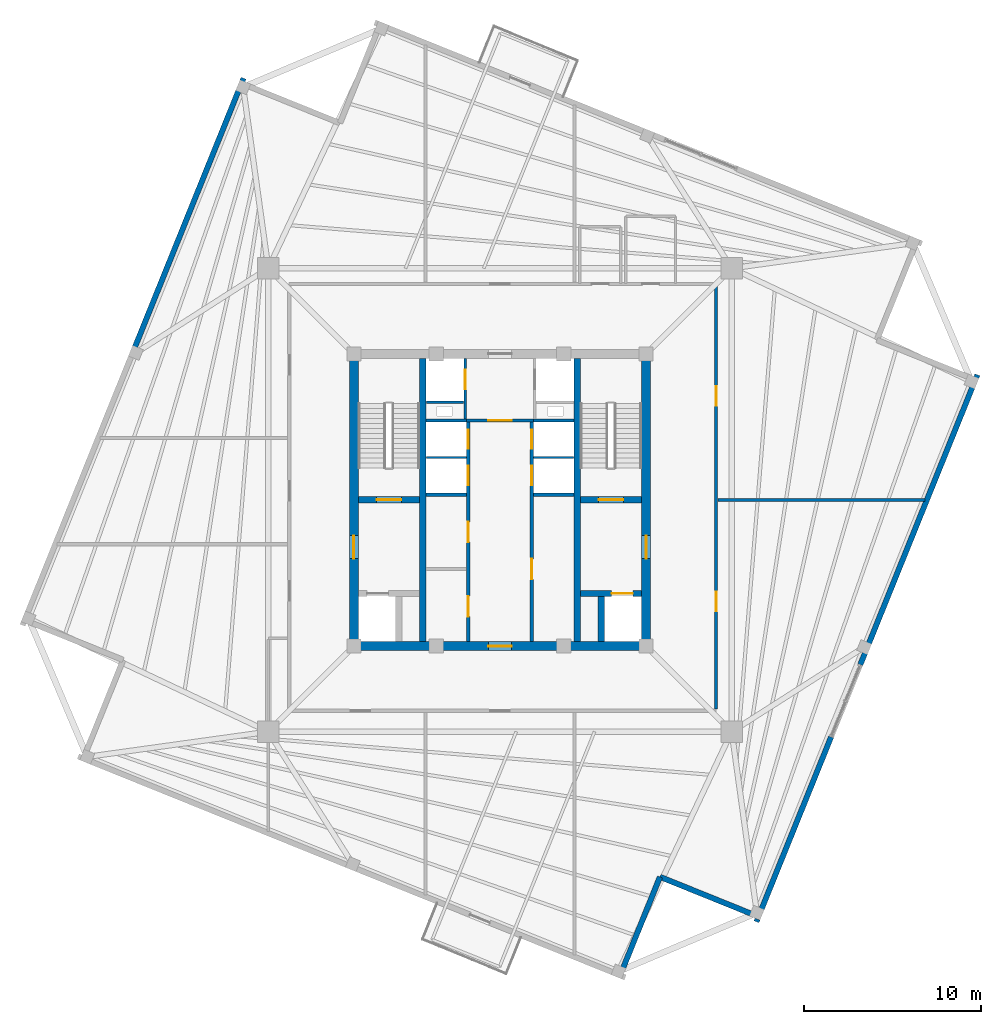
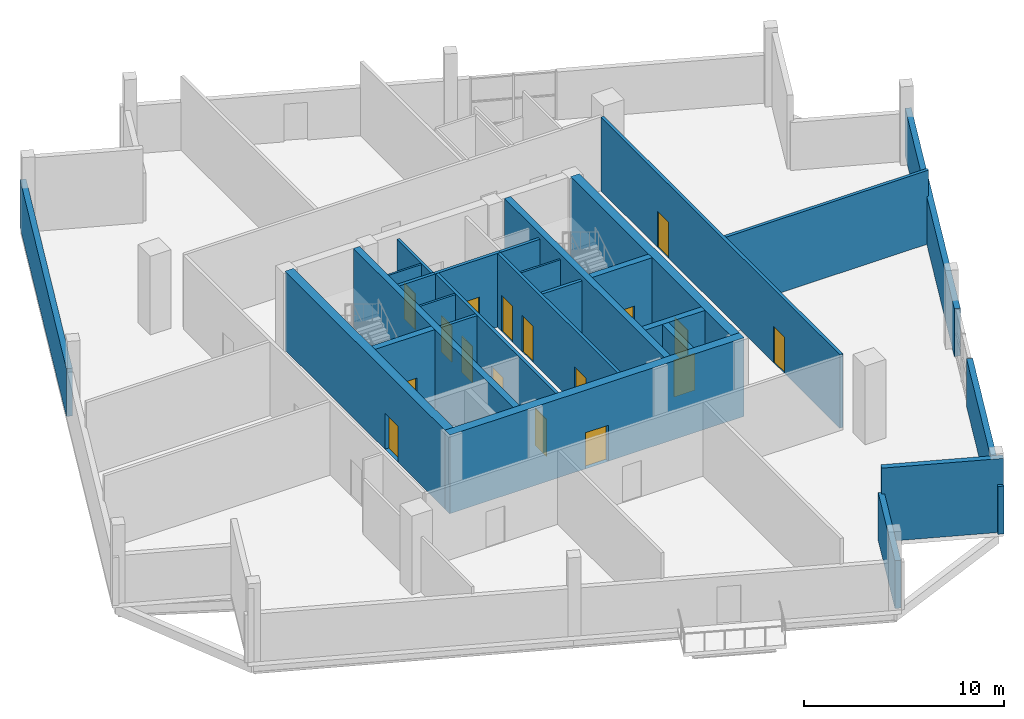
# One storey, part 6 of 9: 27 walls, 17 doors, 17 openings.
"""IFC4 building model written with IfcOpenShell, lengths in metres."""

from ifc_helpers import new_model, si_unit, direction, frame, frame_2d, origin, place, context, subcontext, project, spatial, rectangle, extrude, source, transform, mapped, material, layer, layer_set, type_object, element, fill, save


model = new_model("IFC4")

# Units and contexts
model_context = context("Model", 3, precision=1e-05, world=origin(), true_north=direction((0.0, 1.0)))
body_context = subcontext(model_context, "Body", "Model", "MODEL_VIEW")
ifc_project = project(units=[si_unit("LENGTHUNIT", "METRE"), si_unit("AREAUNIT", "SQUARE_METRE"), si_unit("VOLUMEUNIT", "CUBIC_METRE"), si_unit("PLANEANGLEUNIT", "RADIAN"), si_unit("MASSUNIT", "GRAM", prefix="KILO"), si_unit("THERMODYNAMICTEMPERATUREUNIT", "KELVIN")], contexts=[model_context])

# Site, building, storey
site_placement = place(None, origin())
site = spatial("IfcSite", under=ifc_project, at=site_placement, CompositionType="ELEMENT")
building_placement = place(site_placement, origin())
building = spatial("IfcBuilding", under=site, at=building_placement, Name="Kosmvard Interchange Tower", CompositionType="ELEMENT")
storey_placement = place(building_placement, frame((0.0, 0.0, 316.800048828125)))
storey = spatial("IfcBuildingStorey", under=building, at=storey_placement, Name="L78", CompositionType="ELEMENT", Elevation=316.800048828125)

# Wall, opening, door
ifc_material_1 = material(Name="Fire-rated gypsum partition system")
ifc_layer_1 = layer(ifc_material_1, 0.159912109375, Name="Fire-rated gypsum partition system")
ifc_layer_set_1 = layer_set([ifc_layer_1], Name="Fire-rated gypsum partition system")
wall_type_1 = type_object("IfcWallType", Name="Core Compartment & Shuttle Lobby Partition 160", PredefinedType="PARTITIONING", material=ifc_layer_set_1)
wall_1_placement = place(storey_placement, frame((-1.9599609375, 4.580078125, 0.0), z_axis=(0.0, 0.0, 1.0), x_axis=(0.0, 1.0, 0.0)))
wall_1 = element("IfcWall", 1, at=wall_1_placement, inside=storey, type_object=wall_type_1, Name="L78 North Core West Wall", PredefinedType="PARTITIONING", context=body_context, shape_type="SweptSolid", body=[
    extrude(rectangle(XDim=3.39990234375, YDim=0.159912109375, at=frame_2d((1.699951171875, 0.0))), origin(), (0.0, 0.0, 1.0), 4.5),
])
opening_1_placement = place(wall_1_placement, frame((1.669921875, 0.0, 0.0)))
opening_1 = element("IfcOpeningElement", 2, at=opening_1_placement, cuts=wall_1, Name="Opening LD-OBS1-L78", PredefinedType="OPENING", context=body_context, shape_type="SweptSolid", body=[
    extrude(rectangle(XDim=1.10009765625, YDim=2.199951171875, at=frame_2d((0.550048828125, 1.10009765625))), frame((0.0, 0.08984375, 0.0), z_axis=(0.0, -1.0, 0.0), x_axis=(1.0, 0.0, 0.0)), (0.0, 0.0, 1.0), 0.179931640625),
])
ifc_material_2 = material(Name="Brushed stainless steel sliding leaf", Category="steel")
door_type_1 = type_object("IfcDoorType", Name="Passenger Lift Sliding Landing Door 1100x2200 EI60", OperationType="DOUBLE_DOOR_SLIDING", PredefinedType="DOOR", material=ifc_material_2)
shared_shape_1 = source(origin(), body_context, "Body", "SweptSolid", [
    extrude(rectangle(XDim=1.10009765625, YDim=2.199951171875, at=frame_2d((0.550048828125, 1.10009765625))), frame((0.0, 0.02490234375, 0.0), z_axis=(0.0, -1.0, 0.0), x_axis=(1.0, 0.0, 0.0)), (0.0, 0.0, 1.0), 0.050048828125),
])
door_1_placement = place(opening_1_placement, frame((1.10009765625, 0.0, 0.0), z_axis=(0.0, 0.0, 1.0), x_axis=(-1.0, 0.0, 0.0)))
door_1 = element("IfcDoor", 3, at=door_1_placement, inside=storey, type_object=door_type_1, Name="Lift OBS-1 Landing Door L78", OperationType="DOUBLE_DOOR_SLIDING", OverallHeight=2.199951171875, OverallWidth=1.10009765625, PredefinedType="DOOR", context=body_context, shape_type="MappedRepresentation", body=[
    mapped(shared_shape_1, transform((0.0, 0.0, 0.0), scale=1.0)),
])
fill(opening_1, door_1)

# Wall, openings, doors
ifc_layer_2 = layer(ifc_material_1, 0.179931640625, Name="Fire-rated gypsum partition system")
ifc_layer_set_2 = layer_set([ifc_layer_2], Name="Fire-rated gypsum partition system")
wall_type_2 = type_object("IfcWallType", Name="Corridor & Hotel Compartment Partition 180", PredefinedType="PARTITIONING", material=ifc_layer_set_2)
wall_2_placement = place(storey_placement, frame((-1.7900390625, -7.97998046875, 0.0), z_axis=(0.0, 0.0, 1.0), x_axis=(0.0, 1.0, 0.0)))
wall_2 = element("IfcWall", 4, at=wall_2_placement, inside=storey, type_object=wall_type_2, Name="L78 West Lift Bank Front Wall", PredefinedType="PARTITIONING", context=body_context, shape_type="SweptSolid", body=[
    extrude(rectangle(XDim=12.3798828125, YDim=0.179931640625, at=frame_2d((6.18994140625, 0.0))), origin(), (0.0, 0.0, 1.0), 4.5),
])
opening_2_placement = place(wall_2_placement, frame((8.800048828125, 0.0, 0.0)))
opening_2 = element("IfcOpeningElement", 5, at=opening_2_placement, cuts=wall_2, Name="Opening LD-PL-H1-L78", PredefinedType="OPENING", context=body_context, shape_type="SweptSolid", body=[
    extrude(rectangle(XDim=1.10009765625, YDim=2.199951171875, at=frame_2d((0.550048828125, 1.10009765625))), frame((0.0, 0.10009765625, 0.0), z_axis=(0.0, -1.0, 0.0), x_axis=(1.0, 0.0, 0.0)), (0.0, 0.0, 1.0), 0.199951171875),
])
opening_3_placement = place(wall_2_placement, frame((10.860107421875, 0.0, 0.0)))
opening_3 = element("IfcOpeningElement", 6, at=opening_3_placement, cuts=wall_2, Name="Opening LD-PL-H2-L78", PredefinedType="OPENING", context=body_context, shape_type="SweptSolid", body=[
    extrude(rectangle(XDim=1.10009765625, YDim=2.199951171875, at=frame_2d((0.550048828125, 1.10009765625))), frame((0.0, 0.10009765625, 0.0), z_axis=(0.0, -1.0, 0.0), x_axis=(1.0, 0.0, 0.0)), (0.0, 0.0, 1.0), 0.199951171875),
])
opening_4_placement = place(wall_2_placement, frame((1.39990234375, 0.0, 0.0)))
opening_4 = element("IfcOpeningElement", 7, at=opening_4_placement, cuts=wall_2, Name="Opening L78-CD1", PredefinedType="OPENING", context=body_context, shape_type="SweptSolid", body=[
    extrude(rectangle(XDim=1.14990234375, YDim=2.25, at=frame_2d((0.574951171875, 1.125))), frame((0.0, 0.10009765625, 0.0), z_axis=(0.0, -1.0, 0.0), x_axis=(1.0, 0.0, 0.0)), (0.0, 0.0, 1.0), 0.199951171875),
])
opening_5_placement = place(wall_2_placement, frame((5.60009765625, 0.0, 0.0)))
opening_5 = element("IfcOpeningElement", 8, at=opening_5_placement, cuts=wall_2, Name="Opening L78-CD2", PredefinedType="OPENING", context=body_context, shape_type="SweptSolid", body=[
    extrude(rectangle(XDim=1.14990234375, YDim=2.25, at=frame_2d((0.574951171875, 1.125))), frame((0.0, 0.10009765625, 0.0), z_axis=(0.0, -1.0, 0.0), x_axis=(1.0, 0.0, 0.0)), (0.0, 0.0, 1.0), 0.199951171875),
])
ifc_material_3 = material(Name="Painted fire-rated steel leaf", Category="steel")
door_type_2 = type_object("IfcDoorType", Name="Plant & Riser Fire Door 1150x2250 EI60", OperationType="NOTDEFINED", PredefinedType="DOOR", material=ifc_material_3)
shared_shape_2 = source(origin(), body_context, "Body", "SweptSolid", [
    extrude(rectangle(XDim=1.14990234375, YDim=2.25, at=frame_2d((0.574951171875, 1.125))), frame((0.0, 0.02490234375, 0.0), z_axis=(0.0, -1.0, 0.0), x_axis=(1.0, 0.0, 0.0)), (0.0, 0.0, 1.0), 0.050048828125),
])
door_2_placement = place(opening_4_placement, origin())
door_2 = element("IfcDoor", 9, at=door_2_placement, inside=storey, type_object=door_type_2, Name="L78 Core Archive Door", OperationType="SINGLE_SWING_LEFT", OverallHeight=2.25, OverallWidth=1.14990234375, PredefinedType="DOOR", context=body_context, shape_type="MappedRepresentation", body=[
    mapped(shared_shape_2, transform((0.0, 0.0, 0.0), scale=1.0)),
])
fill(opening_4, door_2)
door_3_placement = place(opening_5_placement, origin())
door_3 = element("IfcDoor", 10, at=door_3_placement, inside=storey, type_object=door_type_2, Name="L78 Mid Core Housekeeping Door", OperationType="SINGLE_SWING_RIGHT", OverallHeight=2.25, OverallWidth=1.14990234375, PredefinedType="DOOR", context=body_context, shape_type="MappedRepresentation", body=[
    mapped(shared_shape_2, transform((0.0, 0.0, 0.0), scale=1.0)),
])
fill(opening_5, door_3)
door_4_placement = place(opening_2_placement, frame((1.10009765625, 0.0, 0.0), z_axis=(0.0, 0.0, 1.0), x_axis=(-1.0, 0.0, 0.0)))
door_4 = element("IfcDoor", 11, at=door_4_placement, inside=storey, type_object=door_type_1, Name="Lift PL-H1 Landing Door L78", OperationType="DOUBLE_DOOR_SLIDING", OverallHeight=2.199951171875, OverallWidth=1.10009765625, PredefinedType="DOOR", context=body_context, shape_type="MappedRepresentation", body=[
    mapped(shared_shape_1, transform((0.0, 0.0, 0.0), scale=1.0)),
])
fill(opening_2, door_4)
door_5_placement = place(opening_3_placement, frame((1.10009765625, 0.0, 0.0), z_axis=(0.0, 0.0, 1.0), x_axis=(-1.0, 0.0, 0.0)))
door_5 = element("IfcDoor", 12, at=door_5_placement, inside=storey, type_object=door_type_1, Name="Lift PL-H2 Landing Door L78", OperationType="DOUBLE_DOOR_SLIDING", OverallHeight=2.199951171875, OverallWidth=1.10009765625, PredefinedType="DOOR", context=body_context, shape_type="MappedRepresentation", body=[
    mapped(shared_shape_1, transform((0.0, 0.0, 0.0), scale=1.0)),
])
fill(opening_3, door_5)

wall_3_placement = place(storey_placement, frame((1.7900390625, -7.97998046875, 0.0), z_axis=(0.0, 0.0, 1.0), x_axis=(0.0, 1.0, 0.0)))
wall_3 = element("IfcWall", 13, at=wall_3_placement, inside=storey, type_object=wall_type_2, Name="L78 East Lift Bank Front Wall", PredefinedType="PARTITIONING", context=body_context, shape_type="SweptSolid", body=[
    extrude(rectangle(XDim=12.3798828125, YDim=0.179931640625, at=frame_2d((6.18994140625, 0.0))), origin(), (0.0, 0.0, 1.0), 4.5),
])
opening_6_placement = place(wall_3_placement, frame((8.800048828125, 0.0, 0.0)))
opening_6 = element("IfcOpeningElement", 14, at=opening_6_placement, cuts=wall_3, Name="Opening LD-PL-H3-L78", PredefinedType="OPENING", context=body_context, shape_type="SweptSolid", body=[
    extrude(rectangle(XDim=1.10009765625, YDim=2.199951171875, at=frame_2d((0.550048828125, 1.10009765625))), frame((0.0, 0.10009765625, 0.0), z_axis=(0.0, -1.0, 0.0), x_axis=(1.0, 0.0, 0.0)), (0.0, 0.0, 1.0), 0.199951171875),
])
opening_7_placement = place(wall_3_placement, frame((10.860107421875, 0.0, 0.0)))
opening_7 = element("IfcOpeningElement", 15, at=opening_7_placement, cuts=wall_3, Name="Opening LD-PL-H4-L78", PredefinedType="OPENING", context=body_context, shape_type="SweptSolid", body=[
    extrude(rectangle(XDim=1.10009765625, YDim=2.199951171875, at=frame_2d((0.550048828125, 1.10009765625))), frame((0.0, 0.10009765625, 0.0), z_axis=(0.0, -1.0, 0.0), x_axis=(1.0, 0.0, 0.0)), (0.0, 0.0, 1.0), 0.199951171875),
])
opening_8_placement = place(wall_3_placement, frame((3.5, 0.0, 0.0)))
opening_8 = element("IfcOpeningElement", 16, at=opening_8_placement, cuts=wall_3, Name="Opening L78-CD3", PredefinedType="OPENING", context=body_context, shape_type="SweptSolid", body=[
    extrude(rectangle(XDim=1.14990234375, YDim=2.25, at=frame_2d((0.574951171875, 1.125))), frame((0.0, 0.10009765625, 0.0), z_axis=(0.0, -1.0, 0.0), x_axis=(1.0, 0.0, 0.0)), (0.0, 0.0, 1.0), 0.199951171875),
])
door_6_placement = place(opening_8_placement, frame((1.14990234375, 0.0, 0.0), z_axis=(0.0, 0.0, 1.0), x_axis=(-1.0, 0.0, 0.0)))
door_6 = element("IfcDoor", 17, at=door_6_placement, inside=storey, type_object=door_type_2, Name="L78 Core Data Switch Door", OperationType="SINGLE_SWING_LEFT", OverallHeight=2.25, OverallWidth=1.14990234375, PredefinedType="DOOR", context=body_context, shape_type="MappedRepresentation", body=[
    mapped(shared_shape_2, transform((0.0, 0.0, 0.0), scale=1.0)),
])
fill(opening_8, door_6)
door_7_placement = place(opening_6_placement, origin())
door_7 = element("IfcDoor", 18, at=door_7_placement, inside=storey, type_object=door_type_1, Name="Lift PL-H3 Landing Door L78", OperationType="DOUBLE_DOOR_SLIDING", OverallHeight=2.199951171875, OverallWidth=1.10009765625, PredefinedType="DOOR", context=body_context, shape_type="MappedRepresentation", body=[
    mapped(shared_shape_1, transform((0.0, 0.0, 0.0), scale=1.0)),
])
fill(opening_6, door_7)
door_8_placement = place(opening_7_placement, origin())
door_8 = element("IfcDoor", 19, at=door_8_placement, inside=storey, type_object=door_type_1, Name="Lift PL-H4 Landing Door L78", OperationType="DOUBLE_DOOR_SLIDING", OverallHeight=2.199951171875, OverallWidth=1.10009765625, PredefinedType="DOOR", context=body_context, shape_type="MappedRepresentation", body=[
    mapped(shared_shape_1, transform((0.0, 0.0, 0.0), scale=1.0)),
])
fill(opening_7, door_8)

# Wall, opening, door
wall_4_placement = place(storey_placement, frame((-1.8798828125, 4.489990234375, 0.0), z_axis=(0.0, 0.0, 1.0), x_axis=(1.0, 0.0, 0.0)))
wall_4 = element("IfcWall", 20, at=wall_4_placement, inside=storey, type_object=wall_type_2, Name="L78 Lift Lobby North Partition", PredefinedType="PARTITIONING", context=body_context, shape_type="SweptSolid", body=[
    extrude(rectangle(XDim=3.759765625, YDim=0.179931640625, at=frame_2d((1.8798828125, 0.0))), origin(), (0.0, 0.0, 1.0), 4.5),
])
opening_9_placement = place(wall_4_placement, frame((1.22998046875, 0.0, 0.0)))
opening_9 = element("IfcOpeningElement", 21, at=opening_9_placement, cuts=wall_4, Name="Opening L78-OD1", PredefinedType="OPENING", context=body_context, shape_type="SweptSolid", body=[
    extrude(rectangle(XDim=1.300048828125, YDim=2.199951171875, at=frame_2d((0.64990234375, 1.10009765625))), frame((0.0, 0.10009765625, 0.0), z_axis=(0.0, -1.0, 0.0), x_axis=(1.0, 0.0, 0.0)), (0.0, 0.0, 1.0), 0.199951171875),
])
door_type_3 = type_object("IfcDoorType", Name="Firefighting Lobby Door 1300x2200 EI60", OperationType="NOTDEFINED", PredefinedType="DOOR", material=ifc_material_3)
shared_shape_3 = source(origin(), body_context, "Body", "SweptSolid", [
    extrude(rectangle(XDim=1.300048828125, YDim=2.199951171875, at=frame_2d((0.64990234375, 1.10009765625))), frame((0.0, 0.02490234375, 0.0), z_axis=(0.0, -1.0, 0.0), x_axis=(1.0, 0.0, 0.0)), (0.0, 0.0, 1.0), 0.050048828125),
])
door_9_placement = place(opening_9_placement, origin())
door_9 = element("IfcDoor", 22, at=door_9_placement, inside=storey, type_object=door_type_3, Name="L78 Shuttle Lobby South Door", OperationType="SINGLE_SWING_LEFT", OverallHeight=2.199951171875, OverallWidth=1.300048828125, PredefinedType="DOOR", context=body_context, shape_type="MappedRepresentation", body=[
    mapped(shared_shape_3, transform((0.0, 0.0, 0.0), scale=1.0)),
])
fill(opening_9, door_9)

# Wall, openings, doors
wall_5_placement = place(storey_placement, frame((12.199951171875, -11.800048828125, 0.0), z_axis=(0.0, 0.0, 1.0), x_axis=(0.0, 1.0, 0.0)))
wall_5 = element("IfcWall", 23, at=wall_5_placement, inside=storey, type_object=wall_type_2, Name="L78 Corridor Wall CE", PredefinedType="PARTITIONING", context=body_context, shape_type="SweptSolid", body=[
    extrude(rectangle(XDim=23.900146484375, YDim=0.179931640625, at=frame_2d((11.9501953125, 0.0))), origin(), (0.0, 0.0, 1.0), 4.5),
])
opening_10_placement = place(wall_5_placement, frame((17.135498046875, 0.0, 0.0)))
opening_10 = element("IfcOpeningElement", 24, at=opening_10_placement, cuts=wall_5, Name="Opening L78-D05", PredefinedType="OPENING", context=body_context, shape_type="SweptSolid", body=[
    extrude(rectangle(XDim=1.10009765625, YDim=2.199951171875, at=frame_2d((0.550048828125, 1.10009765625))), frame((0.0, 0.10009765625, 0.0), z_axis=(0.0, -1.0, 0.0), x_axis=(1.0, 0.0, 0.0)), (0.0, 0.0, 1.0), 0.199951171875),
])
opening_11_placement = place(wall_5_placement, frame((5.514404296875, 0.0, 0.0)))
opening_11 = element("IfcOpeningElement", 25, at=opening_11_placement, cuts=wall_5, Name="Opening L78-D06", PredefinedType="OPENING", context=body_context, shape_type="SweptSolid", body=[
    extrude(rectangle(XDim=1.10009765625, YDim=2.199951171875, at=frame_2d((0.550048828125, 1.10009765625))), frame((0.0, 0.10009765625, 0.0), z_axis=(0.0, -1.0, 0.0), x_axis=(1.0, 0.0, 0.0)), (0.0, 0.0, 1.0), 0.199951171875),
])
ifc_material_4 = material(Name="Engineered oak fire-rated timber", Category="wood")
door_type_4 = type_object("IfcDoorType", Name="Office Suite Entrance Door 1100x2200 FD30S", OperationType="NOTDEFINED", PredefinedType="DOOR", material=ifc_material_4)
door_10_placement = place(opening_10_placement, frame((1.10009765625, 0.0, 0.0), z_axis=(0.0, 0.0, 1.0), x_axis=(-1.0, 0.0, 0.0)))
door_10 = element("IfcDoor", 26, at=door_10_placement, inside=storey, type_object=door_type_4, Name="L78 Sky Lounge Refreshment Bar Door", OperationType="SINGLE_SWING_LEFT", OverallHeight=2.199951171875, OverallWidth=1.10009765625, PredefinedType="DOOR", context=body_context, shape_type="MappedRepresentation", body=[
    mapped(shared_shape_1, transform((0.0, 0.0, 0.0), scale=1.0)),
])
fill(opening_10, door_10)
door_11_placement = place(opening_11_placement, frame((1.10009765625, 0.0, 0.0), z_axis=(0.0, 0.0, 1.0), x_axis=(-1.0, 0.0, 0.0)))
door_11 = element("IfcDoor", 27, at=door_11_placement, inside=storey, type_object=door_type_4, Name="L78 Observation Operations Office Door", OperationType="SINGLE_SWING_RIGHT", OverallHeight=2.199951171875, OverallWidth=1.10009765625, PredefinedType="DOOR", context=body_context, shape_type="MappedRepresentation", body=[
    mapped(shared_shape_1, transform((0.0, 0.0, 0.0), scale=1.0)),
])
fill(opening_11, door_11)

# Walls
wall_6_placement = place(storey_placement, frame((12.294921875, 0.0, 0.0), z_axis=(0.0, 0.0, 1.0), x_axis=(1.0, 0.0, 0.0)))
element("IfcWall", 28, at=wall_6_placement, inside=storey, type_object=wall_type_2, Name="L78 Room Partition 03.1", PredefinedType="PARTITIONING", context=body_context, shape_type="SweptSolid", body=[
    extrude(rectangle(XDim=11.707763671875, YDim=0.179931640625, at=frame_2d((5.85400390625, 0.0))), origin(), (0.0, 0.0, 1.0), 4.5),
])
ifc_material_5 = material(Name="Concrete blockwork masonry", Category="masonry")
ifc_layer_3 = layer(ifc_material_5, 0.179931640625, Name="Concrete blockwork masonry")
ifc_layer_set_3 = layer_set([ifc_layer_3], Name="Concrete blockwork masonry")
wall_type_3 = type_object("IfcWallType", Name="Riser & Lift Bank Divider Wall 180", PredefinedType="PARTITIONING", material=ifc_layer_set_3)
for number, where, z_axis, x_axis, name in (
    (29, (-4.169921875, 0.300048828125, 0.0), (0.0, 0.0, 1.0), (1.0, 0.0, 0.0), "L78 West Bank Divider BD2"),
    (30, (1.889892578125, 0.300048828125, 0.0), (0.0, 0.0, 1.0), (1.0, 0.0, 0.0), "L78 East Bank Divider BD2"),
    (31, (-4.169921875, 4.489990234375, 0.0), (0.0, 0.0, 1.0), (1.0, 0.0, 0.0), "L78 West Bank Divider BD3"),
    (32, (1.889892578125, 4.489990234375, 0.0), (0.0, 0.0, 1.0), (1.0, 0.0, 0.0), "L78 East Bank Divider BD3"),
):
    element("IfcWall", number, at=place(storey_placement, frame(where, z_axis=z_axis, x_axis=x_axis)), inside=storey, type_object=wall_type_3, Name=name, PredefinedType="PARTITIONING", context=body_context, shape_type="SweptSolid", body=[
        extrude(rectangle(XDim=2.280029296875, YDim=0.179931640625, at=frame_2d((1.14013671875, 0.0))), origin(), (0.0, 0.0, 1.0), 4.5),
    ])
ifc_material_6 = material(Name="Fire-rated gypsum shaftwall system")
ifc_layer_4 = layer(ifc_material_6, 0.1201171875, Name="Fire-rated gypsum shaftwall system")
ifc_layer_set_4 = layer_set([ifc_layer_4], Name="Fire-rated gypsum shaftwall system")
wall_type_4 = type_object("IfcWallType", Name="Shaft & Riser Fire Partition 120 EI60", PredefinedType="PARTITIONING", material=ifc_layer_set_4)
for number, where, z_axis, x_axis, name in (
    (33, (-4.159912109375, 2.39990234375, 0.0), (0.0, 0.0, 1.0), (1.0, 0.0, 0.0), "L78 Shaft Divider PL-H1"),
    (34, (1.89990234375, 2.39990234375, 0.0), (0.0, 0.0, 1.0), (1.0, 0.0, 0.0), "L78 Shaft Divider PL-H3"),
):
    element("IfcWall", number, at=place(storey_placement, frame(where, z_axis=z_axis, x_axis=x_axis)), inside=storey, type_object=wall_type_4, Name=name, PredefinedType="PARTITIONING", context=body_context, shape_type="SweptSolid", body=[
        extrude(rectangle(XDim=2.260009765625, YDim=0.1201171875, at=frame_2d((1.1298828125, 0.0))), origin(), (0.0, 0.0, 1.0), 4.5),
    ])
wall_7_placement = place(storey_placement, frame((-4.159912109375, 5.52001953125, 0.0), z_axis=(0.0, 0.0, 1.0), x_axis=(1.0, 0.0, 0.0)))
element("IfcWall", 35, at=wall_7_placement, inside=storey, type_object=wall_type_4, Name="L78 Riser Shaft Divider W", PredefinedType="PARTITIONING", context=body_context, shape_type="SweptSolid", body=[
    extrude(rectangle(XDim=2.099853515625, YDim=0.1201171875, at=frame_2d((1.0498046875, 0.0))), origin(), (0.0, 0.0, 1.0), 4.5),
])
ifc_material_7 = material(Name="Concrete C60/75", Category="concrete")
ifc_layer_5 = layer(ifc_material_7, 0.360107421875, Name="Concrete C60/75")
ifc_layer_set_5 = layer_set([ifc_layer_5], Name="Concrete C60/75")
wall_type_5 = type_object("IfcWallType", Name="Stair & Lift Shaft Shear Wall 360 C60/75", PredefinedType="SHEAR", material=ifc_layer_set_5)
for number, where, z_axis, x_axis, name in (
    (36, (-4.360107421875, -8.0, 0.0), (0.0, 0.0, 1.0), (0.0, 1.0, 0.0), "L78 Shaft Shear Wall SW-W"),
    (37, (4.360107421875, -8.0, 0.0), (0.0, 0.0, 1.0), (0.0, 1.0, 0.0), "L78 Shaft Shear Wall SW-E"),
):
    element("IfcWall", number, at=place(storey_placement, frame(where, z_axis=z_axis, x_axis=x_axis)), inside=storey, type_object=wall_type_5, Name=name, PredefinedType="SHEAR", context=body_context, shape_type="SweptSolid", body=[
        extrude(rectangle(XDim=16.0, YDim=0.360107421875, at=frame_2d((8.0, 0.0))), origin(), (0.0, 0.0, 1.0), 4.800048828125),
    ])

# Wall, opening, door
wall_8_placement = place(storey_placement, frame((-8.0, 0.02001953125, 0.0), z_axis=(0.0, 0.0, 1.0), x_axis=(1.0, 0.0, 0.0)))
wall_8 = element("IfcWall", 38, at=wall_8_placement, inside=storey, type_object=wall_type_5, Name="L78 Shaft Shear Wall SW-ST1", PredefinedType="SHEAR", context=body_context, shape_type="SweptSolid", body=[
    extrude(rectangle(XDim=3.4599609375, YDim=0.360107421875, at=frame_2d((1.72998046875, 0.0))), origin(), (0.0, 0.0, 1.0), 4.800048828125),
])
opening_12_placement = place(wall_8_placement, frame((1.030029296875, 0.0, 0.0)))
opening_12 = element("IfcOpeningElement", 39, at=opening_12_placement, cuts=wall_8, Name="Opening L78-SD1", PredefinedType="OPENING", context=body_context, shape_type="SweptSolid", body=[
    extrude(rectangle(XDim=1.39990234375, YDim=2.199951171875, at=frame_2d((0.699951171875, 1.10009765625))), frame((0.0, 0.18994140625, 0.0), z_axis=(0.0, -1.0, 0.0), x_axis=(1.0, 0.0, 0.0)), (0.0, 0.0, 1.0), 0.380126953125),
])
door_type_5 = type_object("IfcDoorType", Name="Protected Stair Door 1400x2200 FD60S", OperationType="NOTDEFINED", PredefinedType="DOOR", material=ifc_material_3)
shared_shape_4 = source(origin(), body_context, "Body", "SweptSolid", [
    extrude(rectangle(XDim=1.39990234375, YDim=2.199951171875, at=frame_2d((0.699951171875, 1.10009765625))), frame((0.0, 0.02490234375, 0.0), z_axis=(0.0, -1.0, 0.0), x_axis=(1.0, 0.0, 0.0)), (0.0, 0.0, 1.0), 0.050048828125),
])
door_12_placement = place(opening_12_placement, origin())
door_12 = element("IfcDoor", 40, at=door_12_placement, inside=storey, type_object=door_type_5, Name="L78 Stair ST-1 Enclosure Door", OperationType="SINGLE_SWING_LEFT", OverallHeight=2.199951171875, OverallWidth=1.39990234375, PredefinedType="DOOR", context=body_context, shape_type="MappedRepresentation", body=[
    mapped(shared_shape_4, transform((0.0, 0.0, 0.0), scale=1.0)),
])
fill(opening_12, door_12)

wall_9_placement = place(storey_placement, frame((4.5400390625, 0.02001953125, 0.0), z_axis=(0.0, 0.0, 1.0), x_axis=(1.0, 0.0, 0.0)))
wall_9 = element("IfcWall", 41, at=wall_9_placement, inside=storey, type_object=wall_type_5, Name="L78 Shaft Shear Wall SW-ST2", PredefinedType="SHEAR", context=body_context, shape_type="SweptSolid", body=[
    extrude(rectangle(XDim=3.4599609375, YDim=0.360107421875, at=frame_2d((1.72998046875, 0.0))), origin(), (0.0, 0.0, 1.0), 4.800048828125),
])
opening_13_placement = place(wall_9_placement, frame((1.030029296875, 0.0, 0.0)))
opening_13 = element("IfcOpeningElement", 42, at=opening_13_placement, cuts=wall_9, Name="Opening L78-SD2", PredefinedType="OPENING", context=body_context, shape_type="SweptSolid", body=[
    extrude(rectangle(XDim=1.39990234375, YDim=2.199951171875, at=frame_2d((0.699951171875, 1.10009765625))), frame((0.0, 0.18994140625, 0.0), z_axis=(0.0, -1.0, 0.0), x_axis=(1.0, 0.0, 0.0)), (0.0, 0.0, 1.0), 0.380126953125),
])
door_13_placement = place(opening_13_placement, origin())
door_13 = element("IfcDoor", 43, at=door_13_placement, inside=storey, type_object=door_type_5, Name="L78 Stair ST-2 Enclosure Door", OperationType="SINGLE_SWING_RIGHT", OverallHeight=2.199951171875, OverallWidth=1.39990234375, PredefinedType="DOOR", context=body_context, shape_type="MappedRepresentation", body=[
    mapped(shared_shape_4, transform((0.0, 0.0, 0.0), scale=1.0)),
])
fill(opening_13, door_13)

wall_10_placement = place(storey_placement, frame((4.5400390625, -5.280029296875, 0.0), z_axis=(0.0, 0.0, 1.0), x_axis=(1.0, 0.0, 0.0)))
wall_10 = element("IfcWall", 44, at=wall_10_placement, inside=storey, type_object=wall_type_5, Name="L78 Shaft Shear Wall SW-FF2", PredefinedType="SHEAR", context=body_context, shape_type="SweptSolid", body=[
    extrude(rectangle(XDim=3.4599609375, YDim=0.360107421875, at=frame_2d((1.72998046875, 0.0))), origin(), (0.0, 0.0, 1.0), 4.800048828125),
])
opening_14_placement = place(wall_10_placement, frame((1.760009765625, 0.0, 0.0)))
opening_14 = element("IfcOpeningElement", 45, at=opening_14_placement, cuts=wall_10, Name="Opening LD-FF-2-L78", PredefinedType="OPENING", context=body_context, shape_type="SweptSolid", body=[
    extrude(rectangle(XDim=1.199951171875, YDim=2.25, at=frame_2d((0.60009765625, 1.125))), frame((0.0, 0.18994140625, 0.0), z_axis=(0.0, -1.0, 0.0), x_axis=(1.0, 0.0, 0.0)), (0.0, 0.0, 1.0), 0.380126953125),
])
door_type_6 = type_object("IfcDoorType", Name="Firefighting Lift Sliding Landing Door 1200x2250 EI120", OperationType="DOUBLE_DOOR_SLIDING", PredefinedType="DOOR", material=ifc_material_2)
shared_shape_5 = source(origin(), body_context, "Body", "SweptSolid", [
    extrude(rectangle(XDim=1.199951171875, YDim=2.25, at=frame_2d((0.60009765625, 1.125))), frame((0.0, 0.02490234375, 0.0), z_axis=(0.0, -1.0, 0.0), x_axis=(1.0, 0.0, 0.0)), (0.0, 0.0, 1.0), 0.050048828125),
])
door_14_placement = place(opening_14_placement, origin())
door_14 = element("IfcDoor", 46, at=door_14_placement, inside=storey, type_object=door_type_6, Name="Lift FF-2 Landing Door L78", OperationType="DOUBLE_DOOR_SLIDING", OverallHeight=2.25, OverallWidth=1.199951171875, PredefinedType="DOOR", context=body_context, shape_type="MappedRepresentation", body=[
    mapped(shared_shape_5, transform((0.0, 0.0, 0.0), scale=1.0)),
])
fill(opening_14, door_14)

# Wall
wall_11_placement = place(storey_placement, frame((5.7099609375, -8.0, 0.0), z_axis=(0.0, 0.0, 1.0), x_axis=(0.0, 1.0, 0.0)))
element("IfcWall", 47, at=wall_11_placement, inside=storey, type_object=wall_type_5, Name="L78 Shaft Shear Wall SW-SM2", PredefinedType="SHEAR", context=body_context, shape_type="SweptSolid", body=[
    extrude(rectangle(XDim=2.5400390625, YDim=0.360107421875, at=frame_2d((1.27001953125, 0.0))), origin(), (0.0, 0.0, 1.0), 4.800048828125),
])

# Wall, opening, door
ifc_layer_6 = layer(ifc_material_7, 0.5, Name="Concrete C60/75")
ifc_layer_set_6 = layer_set([ifc_layer_6], Name="Concrete C60/75")
wall_type_6 = type_object("IfcWallType", Name="Upper Core Shear Wall 500 C60/75", PredefinedType="SHEAR", material=ifc_layer_set_6)
wall_12_placement = place(storey_placement, frame((-8.5, -8.25, 0.0), z_axis=(0.0, 0.0, 1.0), x_axis=(1.0, 0.0, 0.0)))
wall_12 = element("IfcWall", 48, at=wall_12_placement, inside=storey, type_object=wall_type_6, Name="L78 Core Shear Wall CW-S", PredefinedType="SHEAR", context=body_context, shape_type="SweptSolid", body=[
    extrude(rectangle(XDim=17.0, YDim=0.5, at=frame_2d((8.5, 0.0))), origin(), (0.0, 0.0, 1.0), 4.800048828125),
])
opening_15_placement = place(wall_12_placement, frame((7.85009765625, 0.0, 0.0)))
opening_15 = element("IfcOpeningElement", 49, at=opening_15_placement, cuts=wall_12, Name="Opening L78-LD0", PredefinedType="OPENING", context=body_context, shape_type="SweptSolid", body=[
    extrude(rectangle(XDim=1.300048828125, YDim=2.199951171875, at=frame_2d((0.64990234375, 1.10009765625))), frame((0.0, 0.260009765625, 0.0), z_axis=(0.0, -1.0, 0.0), x_axis=(1.0, 0.0, 0.0)), (0.0, 0.0, 1.0), 0.52001953125),
])
door_15_placement = place(opening_15_placement, frame((1.300048828125, 0.0, 0.0), z_axis=(0.0, 0.0, 1.0), x_axis=(-1.0, 0.0, 0.0)))
door_15 = element("IfcDoor", 50, at=door_15_placement, inside=storey, type_object=door_type_3, Name="L78 Passenger Lift Lobby South Door", OperationType="SINGLE_SWING_LEFT", OverallHeight=2.199951171875, OverallWidth=1.300048828125, PredefinedType="DOOR", context=body_context, shape_type="MappedRepresentation", body=[
    mapped(shared_shape_3, transform((0.0, 0.0, 0.0), scale=1.0)),
])
fill(opening_15, door_15)

wall_13_placement = place(storey_placement, frame((-8.25, -8.0, 0.0), z_axis=(0.0, 0.0, 1.0), x_axis=(0.0, 1.0, 0.0)))
wall_13 = element("IfcWall", 51, at=wall_13_placement, inside=storey, type_object=wall_type_6, Name="L78 Core Shear Wall CW-W", PredefinedType="SHEAR", context=body_context, shape_type="SweptSolid", body=[
    extrude(rectangle(XDim=16.0, YDim=0.5, at=frame_2d((8.0, 0.0))), origin(), (0.0, 0.0, 1.0), 4.800048828125),
])
opening_16_placement = place(wall_13_placement, frame((4.68994140625, 0.0, 0.0)))
opening_16 = element("IfcOpeningElement", 52, at=opening_16_placement, cuts=wall_13, Name="Opening L78-FD1", PredefinedType="OPENING", context=body_context, shape_type="SweptSolid", body=[
    extrude(rectangle(XDim=1.300048828125, YDim=2.199951171875, at=frame_2d((0.64990234375, 1.10009765625))), frame((0.0, 0.260009765625, 0.0), z_axis=(0.0, -1.0, 0.0), x_axis=(1.0, 0.0, 0.0)), (0.0, 0.0, 1.0), 0.52001953125),
])
door_16_placement = place(opening_16_placement, frame((1.300048828125, 0.0, 0.0), z_axis=(0.0, 0.0, 1.0), x_axis=(-1.0, 0.0, 0.0)))
door_16 = element("IfcDoor", 53, at=door_16_placement, inside=storey, type_object=door_type_3, Name="L78 Firefighting Lobby West Door", OperationType="SINGLE_SWING_LEFT", OverallHeight=2.199951171875, OverallWidth=1.300048828125, PredefinedType="DOOR", context=body_context, shape_type="MappedRepresentation", body=[
    mapped(shared_shape_3, transform((0.0, 0.0, 0.0), scale=1.0)),
])
fill(opening_16, door_16)

wall_14_placement = place(storey_placement, frame((8.25, -8.0, 0.0), z_axis=(0.0, 0.0, 1.0), x_axis=(0.0, 1.0, 0.0)))
wall_14 = element("IfcWall", 54, at=wall_14_placement, inside=storey, type_object=wall_type_6, Name="L78 Core Shear Wall CW-E", PredefinedType="SHEAR", context=body_context, shape_type="SweptSolid", body=[
    extrude(rectangle(XDim=16.0, YDim=0.5, at=frame_2d((8.0, 0.0))), origin(), (0.0, 0.0, 1.0), 4.800048828125),
])
opening_17_placement = place(wall_14_placement, frame((4.68994140625, 0.0, 0.0)))
opening_17 = element("IfcOpeningElement", 55, at=opening_17_placement, cuts=wall_14, Name="Opening L78-FD2", PredefinedType="OPENING", context=body_context, shape_type="SweptSolid", body=[
    extrude(rectangle(XDim=1.300048828125, YDim=2.199951171875, at=frame_2d((0.64990234375, 1.10009765625))), frame((0.0, 0.260009765625, 0.0), z_axis=(0.0, -1.0, 0.0), x_axis=(1.0, 0.0, 0.0)), (0.0, 0.0, 1.0), 0.52001953125),
])
door_17_placement = place(opening_17_placement, origin())
door_17 = element("IfcDoor", 56, at=door_17_placement, inside=storey, type_object=door_type_3, Name="L78 Firefighting Lobby East Door", OperationType="SINGLE_SWING_RIGHT", OverallHeight=2.199951171875, OverallWidth=1.300048828125, PredefinedType="DOOR", context=body_context, shape_type="MappedRepresentation", body=[
    mapped(shared_shape_3, transform((0.0, 0.0, 0.0), scale=1.0)),
])
fill(opening_17, door_17)

# Walls
ifc_material_8 = material(Name="Precast concrete C45/55", Category="concrete")
ifc_layer_7 = layer(ifc_material_8, 0.31005859375, Name="Precast concrete C45/55")
ifc_layer_set_7 = layer_set([ifc_layer_7], Name="Precast concrete C45/55")
wall_type_7 = type_object("IfcWallType", Name="Upper Tower Precast Pier Wall 310 C45/55", PredefinedType="STANDARD", material=ifc_layer_set_7)
wall_15_placement = place(storey_placement, frame((6.7841796875, -26.8408203125, 0.0), z_axis=(0.0, 0.0, 1.0), x_axis=(0.374636620962, 0.927171722085, 0.0)))
element("IfcWall", 57, at=wall_15_placement, inside=storey, type_object=wall_type_7, Name="L78 Corner Precast Pier N-SW1", PredefinedType="STANDARD", context=body_context, shape_type="SweptSolid", body=[
    extrude(rectangle(XDim=6.0, YDim=0.31005859375, at=frame_2d((3.0, 0.0))), origin(), (0.0, 0.0, 1.0), 2.919921875),
])
wall_16_placement = place(storey_placement, frame((9.031982421875, -21.27783203125, 0.0), z_axis=(0.0, 0.0, 1.0), x_axis=(0.927185411764, -0.374602739196, 0.0)))
element("IfcWall", 58, at=wall_16_placement, inside=storey, type_object=wall_type_7, Name="L78 Corner Precast Pier N-SW2", PredefinedType="STANDARD", context=body_context, shape_type="SweptSolid", body=[
    extrude(rectangle(XDim=6.155029296875, YDim=0.31005859375, at=frame_2d((3.07763671875, 0.0))), origin(), (0.0, 0.0, 1.0), 4.5),
])
wall_17_placement = place(storey_placement, frame((14.478759765625, -23.812744140625, 0.0), z_axis=(0.0, 0.0, 1.0), x_axis=(0.374619777991, 0.927178527544, 0.0)))
element("IfcWall", 59, at=wall_17_placement, inside=storey, type_object=wall_type_7, Name="L78 Facade Pier Wall SA", PredefinedType="STANDARD", context=body_context, shape_type="SweptSolid", body=[
    extrude(rectangle(XDim=11.2548828125, YDim=0.31005859375, at=frame_2d((5.62744140625, 0.0))), origin(), (0.0, 0.0, 1.0), 2.919921875),
])
wall_18_placement = place(storey_placement, frame((20.34326171875, -9.2978515625, 0.0), z_axis=(0.0, 0.0, 1.0), x_axis=(0.374607087443, 0.927183654967, 0.0)))
element("IfcWall", 60, at=wall_18_placement, inside=storey, type_object=wall_type_7, Name="L78 Facade Pier Wall SB", PredefinedType="STANDARD", context=body_context, shape_type="SweptSolid", body=[
    extrude(rectangle(XDim=17.6552734375, YDim=0.31005859375, at=frame_2d((8.82763671875, 0.0))), origin(), (0.0, 0.0, 1.0), 2.919921875),
])
wall_19_placement = place(storey_placement, frame((-14.478759765625, 23.812744140625, 0.0), z_axis=(0.0, 0.0, 1.0), x_axis=(-0.374618403537, -0.927179082881, 0.0)))
element("IfcWall", 61, at=wall_19_placement, inside=storey, type_object=wall_type_7, Name="L78 Facade Pier Wall NA", PredefinedType="STANDARD", context=body_context, shape_type="SweptSolid", body=[
    extrude(rectangle(XDim=16.655029296875, YDim=0.31005859375, at=frame_2d((8.32763671875, 0.0))), origin(), (0.0, 0.0, 1.0), 2.919921875),
])

save(model, "model.ifc")
